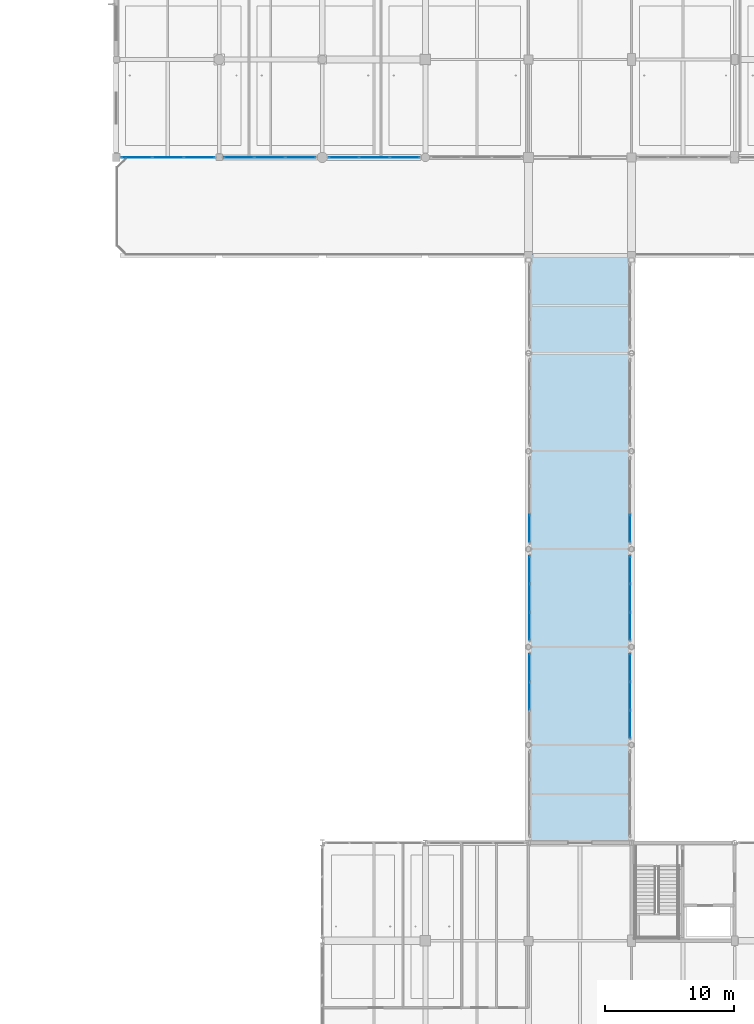
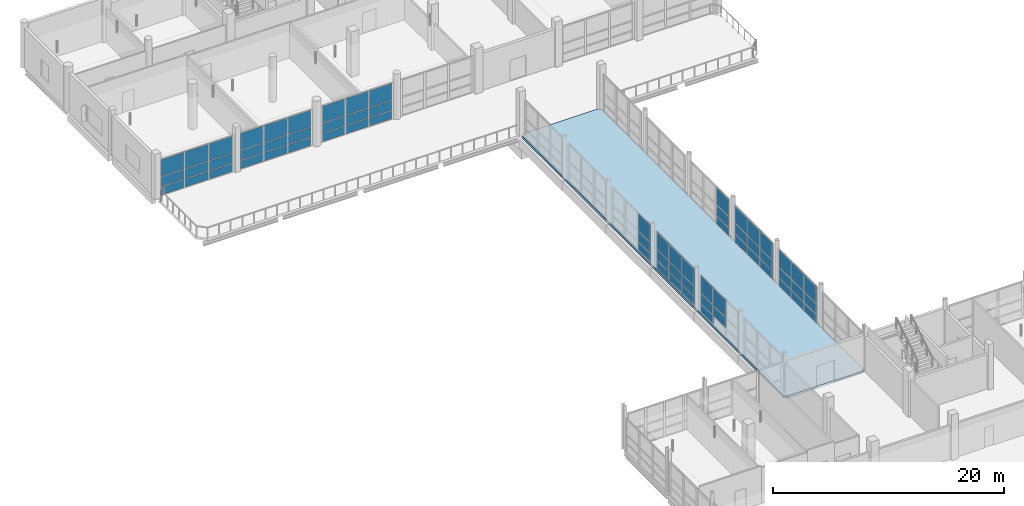
# One storey, part 80 of 141: 65 plates, 1 slab, 9 elements without a shape of their own.
"""IFC4 building model written with IfcOpenShell, lengths in metres."""

import ifcopenshell
import ifcopenshell.guid

model = None  # the IFC model being written
_history = None  # IfcOwnerHistory: only IFC2X3 demands one
_inside = {}  # id of a spatial element -> (the spatial element, [elements in it])
_under = {}  # id of a project, library or spatial element -> (it, [spatial elements below it])
_declared = {}  # id of a project -> (the project, [libraries it declares])
_typed = {}  # id of a type object -> (the type object, [elements of that type])
_made_of = {}  # id of a material, layer set ... -> (it, [elements and type objects made of it])


def new_model(schema):
    """Start an empty IFC model of exactly this schema.

    Asked for "IFC4X3", IfcOpenShell would pick the latest addendum, in which some entities
    have other attributes; the version numbers below select the first issue.
    IFC2X3 requires an IfcOwnerHistory on every rooted entity: one is made here for all.
    """
    global model, _history
    if schema == "IFC4X3":
        model = ifcopenshell.file(schema_version=(4, 3, 0, 0))
    else:
        model = ifcopenshell.file(schema=schema)
    _inside.clear()
    _under.clear()
    _declared.clear()
    _typed.clear()
    _made_of.clear()
    _history = None
    if model.schema == "IFC2X3":
        org = make("IfcOrganization", Name="unknown")
        user = make(
            "IfcPersonAndOrganization",
            ThePerson=make("IfcPerson", FamilyName="unknown"),
            TheOrganization=org,
        )
        app = make(
            "IfcApplication",
            ApplicationDeveloper=org,
            Version="unknown",
            ApplicationFullName="unknown",
            ApplicationIdentifier="unknown",
        )
        _history = make(
            "IfcOwnerHistory",
            OwningUser=user,
            OwningApplication=app,
            ChangeAction="ADDED",
            CreationDate=0,
        )
    return model


def make(cls, **values):
    """One entity of the class cls with the attributes given. An attribute that is None is left unset."""
    return model.create_entity(
        cls, **{name: value for name, value in values.items() if value is not None}
    )


def rooted(cls, **values):
    """An entity with a GlobalId (a new one), such as an element, a storey or a relation."""
    return make(cls, GlobalId=ifcopenshell.guid.new(), OwnerHistory=_history, **values)


def si_unit(unit_type, name, prefix=None):
    """IfcSIUnit, for example si_unit("LENGTHUNIT", "METRE", prefix="MILLI")."""
    return make("IfcSIUnit", UnitType=unit_type, Prefix=prefix, Name=name)


def assignment(units):
    """IfcUnitAssignment: the units of a project."""
    return None if units is None else make("IfcUnitAssignment", Units=units)


def point(xyz):
    """IfcCartesianPoint."""
    return None if xyz is None else make("IfcCartesianPoint", Coordinates=xyz)


def direction(xyz):
    """IfcDirection."""
    return None if xyz is None else make("IfcDirection", DirectionRatios=xyz)


def frame(location, z_axis=None, x_axis=None):
    """IfcAxis2Placement3D, a coordinate frame: its origin and axes. An axis left out is left unset."""
    return make(
        "IfcAxis2Placement3D",
        Location=point(location),
        Axis=direction(z_axis),
        RefDirection=direction(x_axis),
    )


def frame_2d(location, x_axis=None):
    """IfcAxis2Placement2D, a coordinate frame in the plane: its origin and x axis."""
    return make(
        "IfcAxis2Placement2D", Location=point(location), RefDirection=direction(x_axis)
    )


def origin():
    """The frame at (0, 0, 0) with its axes left unset."""
    return frame((0.0, 0.0, 0.0))


def origin_2d():
    """The frame at (0, 0) in the plane with its x axis left unset."""
    return frame_2d((0.0, 0.0))


def place(relative_to, where):
    """IfcLocalPlacement: puts the frame where relative to a parent placement (None: the world)."""
    return make(
        "IfcLocalPlacement", PlacementRelTo=relative_to, RelativePlacement=where
    )


def context(
    kind, dimensions, precision=None, world=None, true_north=None, identifier=None
):
    """IfcGeometricRepresentationContext, for example the 3D "Model" context."""
    return make(
        "IfcGeometricRepresentationContext",
        ContextIdentifier=identifier,
        ContextType=kind,
        CoordinateSpaceDimension=dimensions,
        Precision=precision,
        WorldCoordinateSystem=world,
        TrueNorth=true_north,
    )


def subcontext(parent, identifier, kind, view, scale=None):
    """IfcGeometricRepresentationSubContext, for example "Body" below "Model"."""
    return make(
        "IfcGeometricRepresentationSubContext",
        ContextIdentifier=identifier,
        ContextType=kind,
        ParentContext=parent,
        TargetScale=scale,
        TargetView=view,
    )


def project(units=None, contexts=None):
    """IfcProject with its units and contexts."""
    return rooted(
        "IfcProject",
        Name="project",
        RepresentationContexts=contexts,
        UnitsInContext=assignment(units),
    )


def spatial(cls, under=None, at=None, **own):
    """A site, building, storey or space (cls), placed at a placement, below another one or the project."""
    s = rooted(cls, ObjectPlacement=at, **own)
    if under is not None:
        _under.setdefault(under.id(), (under, []))[1].append(s)
    return s


def polyline(points):
    """IfcPolyline through the points."""
    return make("IfcPolyline", Points=[point(p) for p in points])


def profile(cls, at=None, kind="AREA", **sizes):
    """A parametric profile (cls). Its sizes go by their IFC names, for example OverallWidth=200.0."""
    return make(cls, ProfileType=kind, Position=at, **sizes)


def rectangle(**sizes):
    """IfcRectangleProfileDef."""
    return profile("IfcRectangleProfileDef", **sizes)


def outline(outer, holes=None, kind="AREA"):
    """IfcArbitraryClosedProfileDef: a profile drawn as a closed curve; with holes, ...WithVoids."""
    if holes is None:
        return make("IfcArbitraryClosedProfileDef", ProfileType=kind, OuterCurve=outer)
    return make(
        "IfcArbitraryProfileDefWithVoids",
        ProfileType=kind,
        OuterCurve=outer,
        InnerCurves=holes,
    )


def extrude(swept, where, along, depth):
    """IfcExtrudedAreaSolid: the profile swept, set in the frame where, extruded along a direction by depth."""
    return make(
        "IfcExtrudedAreaSolid",
        SweptArea=swept,
        Position=where,
        ExtrudedDirection=direction(along),
        Depth=depth,
    )


def shape(context_of_items, identifier, shape_type, items):
    """IfcShapeRepresentation: the items that make up one representation, for example the "Body"."""
    return make(
        "IfcShapeRepresentation",
        ContextOfItems=context_of_items,
        RepresentationIdentifier=identifier,
        RepresentationType=shape_type,
        Items=items,
    )


def material(Name=None, Category=None):
    """IfcMaterial."""
    return make("IfcMaterial", Name=Name, Category=Category)


def layer(
    of_material, thickness, ventilated=None, Name=None, Category=None, Priority=None
):
    """IfcMaterialLayer: one layer of a wall or slab, of a material (None: an air gap)."""
    return make(
        "IfcMaterialLayer",
        Material=of_material,
        LayerThickness=thickness,
        IsVentilated=ventilated,
        Name=Name,
        Category=Category,
        Priority=Priority,
    )


def layer_set(layers, Name=None):
    """IfcMaterialLayerSet."""
    return make("IfcMaterialLayerSet", MaterialLayers=layers, LayerSetName=Name)


def made_of(thing, what):
    """Note that an element or type object is made of a material, layer set ...; save() writes the relation."""
    if what is not None:
        _made_of.setdefault(what.id(), (what, []))[1].append(thing)
    return thing


def type_object(cls, material=None, **own):
    """A type object (cls), such as IfcWallType, which elements share."""
    return made_of(rooted(cls, **own), material)


def element(
    cls,
    number,
    at=None,
    inside=None,
    cuts=None,
    type_object=None,
    material=None,
    context=None,
    identifier="Body",
    shape_type=None,
    held_by="IfcProductDefinitionShape",
    body=None,
    shapes=None,
    **own,
):
    """One element of the class cls, such as IfcWall. Its Tag is "e" and its number.

    at: its placement. inside: the storey or other place that contains it. cuts: it is an
    opening in that element (IfcRelVoidsElement). A single representation is given by context,
    identifier, shape_type and body (its items); several are given by shapes. held_by: the class
    of the entity that holds the representations. save() writes the other relations.
    """
    e = rooted(cls, Tag="e%d" % number, ObjectPlacement=at, **own)
    if body is not None:
        shapes = [shape(context, identifier, shape_type, body)]
    if shapes is not None:
        e.Representation = make(held_by, Representations=shapes)
    if inside is not None:
        _inside.setdefault(inside.id(), (inside, []))[1].append(e)
    if cuts is not None:
        rooted(
            "IfcRelVoidsElement", RelatingBuildingElement=cuts, RelatedOpeningElement=e
        )
    if type_object is not None:
        _typed.setdefault(type_object.id(), (type_object, []))[1].append(e)
    return made_of(e, material)


def aggregate(whole, parts):
    """IfcRelAggregates: a whole, such as a stair, and the parts it consists of."""
    return rooted("IfcRelAggregates", RelatingObject=whole, RelatedObjects=parts)


def save(model, path):
    """Write the relations noted so far, then the file.

    IfcRelAggregates (storeys below a building ...), IfcRelContainedInSpatialStructure (elements
    in a storey), IfcRelDefinesByType, IfcRelAssociatesMaterial and IfcRelDeclares: one each for
    every whole, place, type object, material and project.
    """
    for whole, parts in _under.values():
        aggregate(whole, parts)
    for where, things in _inside.values():
        rooted(
            "IfcRelContainedInSpatialStructure",
            RelatedElements=things,
            RelatingStructure=where,
        )
    for kind, things in _typed.values():
        rooted("IfcRelDefinesByType", RelatedObjects=things, RelatingType=kind)
    for what, things in _made_of.values():
        rooted("IfcRelAssociatesMaterial", RelatedObjects=things, RelatingMaterial=what)
    for by, libraries in _declared.values():
        rooted("IfcRelDeclares", RelatingContext=by, RelatedDefinitions=libraries)
    model.write(path)


model = new_model("IFC4")

# Units and contexts
model_context = context("Model", 3, precision=1e-05, world=origin(), true_north=direction((0.0, 1.0)))
body_context = subcontext(model_context, "Body", "Model", "MODEL_VIEW")
ifc_project = project(units=[si_unit("LENGTHUNIT", "METRE"), si_unit("AREAUNIT", "SQUARE_METRE"), si_unit("VOLUMEUNIT", "CUBIC_METRE"), si_unit("PLANEANGLEUNIT", "RADIAN"), si_unit("MASSUNIT", "GRAM", prefix="KILO")], contexts=[model_context])

# Site, building, storey
site_placement = place(None, origin())
site = spatial("IfcSite", under=ifc_project, at=site_placement, CompositionType="ELEMENT")
building_placement = place(site_placement, origin())
building = spatial("IfcBuilding", under=site, at=building_placement, Name="Khelvaren Railside Concert Hall", CompositionType="ELEMENT")
storey_placement = place(building_placement, frame((0.0, 0.0, 10.199951171875)))
storey = spatial("IfcBuildingStorey", under=building, at=storey_placement, Name="L02", CompositionType="ELEMENT", Elevation=10.199951171875)

# Curtain wall, plates
ifc_material_1 = material(Name="Double-glazed clear foyer glass", Category="glass")
curtain_wall_type_1 = type_object("IfcCurtainWallType", Name="CW70", PredefinedType="USERDEFINED", material=ifc_material_1)
curtain_wall_1_placement = place(storey_placement, origin())
curtain_wall_1 = element("IfcCurtainWall", 1, at=curtain_wall_1_placement, inside=storey, type_object=curtain_wall_type_1, Name="Unitised Curtain Wall CW-V5-L02-S-128", ObjectType="UNITISED CURTAIN WALL", PredefinedType="USERDEFINED")
ifc_layer_1 = layer(ifc_material_1, 0.0439453125)
ifc_layer_set_1 = layer_set([ifc_layer_1], Name="Double-glazed clear foyer glass")
plate_type_1 = type_object("IfcPlateType", Name="CWP33", PredefinedType="CURTAIN_PANEL", material=ifc_layer_set_1)
plate_1_placement = place(storey_placement, frame((134.441162109375, 91.199951171875, 0.06494140625), z_axis=(0.0, 0.0, 1.0), x_axis=(-1.0, 0.0, 0.0)))
plate_1 = element("IfcPlate", 2, at=plate_1_placement, type_object=plate_type_1, Name="CW70 panel 1.1", PredefinedType="CURTAIN_PANEL", context=body_context, shape_type="SweptSolid", body=[
    extrude(rectangle(XDim=2.322509765625, YDim=0.0439453125, at=origin_2d()), origin(), (0.0, 0.0, 1.0), 0.8525390625),
])
plate_2_placement = place(storey_placement, frame((134.441162109375, 91.199951171875, 0.982666015625), z_axis=(0.0, 0.0, 1.0), x_axis=(-1.0, 0.0, 0.0)))
plate_2 = element("IfcPlate", 3, at=plate_2_placement, type_object=plate_type_1, Name="CW70 panel 1.2", PredefinedType="CURTAIN_PANEL", context=body_context, shape_type="SweptSolid", body=[
    extrude(rectangle(XDim=2.322509765625, YDim=0.0439453125, at=origin_2d()), origin(), (0.0, 0.0, 1.0), 0.9921875),
])
plate_3_placement = place(storey_placement, frame((134.441162109375, 91.199951171875, 2.039794921875), z_axis=(0.0, 0.0, 1.0), x_axis=(-1.0, 0.0, 0.0)))
plate_3 = element("IfcPlate", 4, at=plate_3_placement, type_object=plate_type_1, Name="CW70 panel 1.3", PredefinedType="CURTAIN_PANEL", context=body_context, shape_type="SweptSolid", body=[
    extrude(rectangle(XDim=2.322509765625, YDim=0.0439453125, at=origin_2d()), origin(), (0.0, 0.0, 1.0), 1.75537109375),
])
plate_4_placement = place(storey_placement, frame((132.02490234375, 91.199951171875, 0.06494140625), z_axis=(0.0, 0.0, 1.0), x_axis=(-1.0, 0.0, 0.0)))
plate_4 = element("IfcPlate", 5, at=plate_4_placement, type_object=plate_type_1, Name="CW70 panel 2.1", PredefinedType="CURTAIN_PANEL", context=body_context, shape_type="SweptSolid", body=[
    extrude(rectangle(XDim=2.360107421875, YDim=0.0439453125, at=origin_2d()), origin(), (0.0, 0.0, 1.0), 0.8525390625),
])
plate_5_placement = place(storey_placement, frame((132.02490234375, 91.199951171875, 0.982666015625), z_axis=(0.0, 0.0, 1.0), x_axis=(-1.0, 0.0, 0.0)))
plate_5 = element("IfcPlate", 6, at=plate_5_placement, type_object=plate_type_1, Name="CW70 panel 2.2", PredefinedType="CURTAIN_PANEL", context=body_context, shape_type="SweptSolid", body=[
    extrude(rectangle(XDim=2.360107421875, YDim=0.0439453125, at=origin_2d()), origin(), (0.0, 0.0, 1.0), 0.9921875),
])
plate_6_placement = place(storey_placement, frame((132.02490234375, 91.199951171875, 2.039794921875), z_axis=(0.0, 0.0, 1.0), x_axis=(-1.0, 0.0, 0.0)))
plate_6 = element("IfcPlate", 7, at=plate_6_placement, type_object=plate_type_1, Name="CW70 panel 2.3", PredefinedType="CURTAIN_PANEL", context=body_context, shape_type="SweptSolid", body=[
    extrude(rectangle(XDim=2.360107421875, YDim=0.0439453125, at=origin_2d()), origin(), (0.0, 0.0, 1.0), 1.75537109375),
])
plate_7_placement = place(storey_placement, frame((129.608642578125, 91.199951171875, 0.06494140625), z_axis=(0.0, 0.0, 1.0), x_axis=(-1.0, 0.0, 0.0)))
plate_7 = element("IfcPlate", 8, at=plate_7_placement, type_object=plate_type_1, Name="CW70 panel 3.1", PredefinedType="CURTAIN_PANEL", context=body_context, shape_type="SweptSolid", body=[
    extrude(rectangle(XDim=2.322509765625, YDim=0.0439453125, at=origin_2d()), origin(), (0.0, 0.0, 1.0), 0.8525390625),
])
plate_8_placement = place(storey_placement, frame((129.608642578125, 91.199951171875, 0.982666015625), z_axis=(0.0, 0.0, 1.0), x_axis=(-1.0, 0.0, 0.0)))
plate_8 = element("IfcPlate", 9, at=plate_8_placement, type_object=plate_type_1, Name="CW70 panel 3.2", PredefinedType="CURTAIN_PANEL", context=body_context, shape_type="SweptSolid", body=[
    extrude(rectangle(XDim=2.322509765625, YDim=0.0439453125, at=origin_2d()), origin(), (0.0, 0.0, 1.0), 0.9921875),
])
plate_9_placement = place(storey_placement, frame((129.608642578125, 91.199951171875, 2.039794921875), z_axis=(0.0, 0.0, 1.0), x_axis=(-1.0, 0.0, 0.0)))
plate_9 = element("IfcPlate", 10, at=plate_9_placement, type_object=plate_type_1, Name="CW70 panel 3.3", PredefinedType="CURTAIN_PANEL", context=body_context, shape_type="SweptSolid", body=[
    extrude(rectangle(XDim=2.322509765625, YDim=0.0439453125, at=origin_2d()), origin(), (0.0, 0.0, 1.0), 1.75537109375),
])
aggregate(curtain_wall_1, [plate_1, plate_2, plate_3, plate_4, plate_5, plate_6, plate_7, plate_8, plate_9])

curtain_wall_type_2 = type_object("IfcCurtainWallType", Name="CW83", PredefinedType="USERDEFINED", material=ifc_material_1)
curtain_wall_2_placement = place(storey_placement, origin())
curtain_wall_2 = element("IfcCurtainWall", 11, at=curtain_wall_2_placement, inside=storey, type_object=curtain_wall_type_2, Name="Unitised Curtain Wall CW-V5-L02-S-136", ObjectType="UNITISED CURTAIN WALL", PredefinedType="USERDEFINED")
plate_10_placement = place(storey_placement, frame((142.307861328125, 91.199951171875, 0.06494140625), z_axis=(0.0, 0.0, 1.0), x_axis=(-1.0, 0.0, 0.0)))
plate_10 = element("IfcPlate", 12, at=plate_10_placement, type_object=plate_type_1, Name="CW83 panel 1.1", PredefinedType="CURTAIN_PANEL", context=body_context, shape_type="SweptSolid", body=[
    extrude(rectangle(XDim=2.2890625, YDim=0.0439453125, at=origin_2d()), origin(), (0.0, 0.0, 1.0), 0.8525390625),
])
plate_11_placement = place(storey_placement, frame((142.307861328125, 91.199951171875, 0.982666015625), z_axis=(0.0, 0.0, 1.0), x_axis=(-1.0, 0.0, 0.0)))
plate_11 = element("IfcPlate", 13, at=plate_11_placement, type_object=plate_type_1, Name="CW83 panel 1.2", PredefinedType="CURTAIN_PANEL", context=body_context, shape_type="SweptSolid", body=[
    extrude(rectangle(XDim=2.2890625, YDim=0.0439453125, at=origin_2d()), origin(), (0.0, 0.0, 1.0), 0.9921875),
])
plate_12_placement = place(storey_placement, frame((142.307861328125, 91.199951171875, 2.039794921875), z_axis=(0.0, 0.0, 1.0), x_axis=(-1.0, 0.0, 0.0)))
plate_12 = element("IfcPlate", 14, at=plate_12_placement, type_object=plate_type_1, Name="CW83 panel 1.3", PredefinedType="CURTAIN_PANEL", context=body_context, shape_type="SweptSolid", body=[
    extrude(rectangle(XDim=2.2890625, YDim=0.0439453125, at=origin_2d()), origin(), (0.0, 0.0, 1.0), 1.75537109375),
])
plate_13_placement = place(storey_placement, frame((139.925048828125, 91.199951171875, 0.06494140625), z_axis=(0.0, 0.0, 1.0), x_axis=(-1.0, 0.0, 0.0)))
plate_13 = element("IfcPlate", 15, at=plate_13_placement, type_object=plate_type_1, Name="CW83 panel 2.1", PredefinedType="CURTAIN_PANEL", context=body_context, shape_type="SweptSolid", body=[
    extrude(rectangle(XDim=2.32666015625, YDim=0.0439453125, at=origin_2d()), origin(), (0.0, 0.0, 1.0), 0.8525390625),
])
plate_14_placement = place(storey_placement, frame((139.925048828125, 91.199951171875, 0.982666015625), z_axis=(0.0, 0.0, 1.0), x_axis=(-1.0, 0.0, 0.0)))
plate_14 = element("IfcPlate", 16, at=plate_14_placement, type_object=plate_type_1, Name="CW83 panel 2.2", PredefinedType="CURTAIN_PANEL", context=body_context, shape_type="SweptSolid", body=[
    extrude(rectangle(XDim=2.32666015625, YDim=0.0439453125, at=origin_2d()), origin(), (0.0, 0.0, 1.0), 0.9921875),
])
plate_15_placement = place(storey_placement, frame((139.925048828125, 91.199951171875, 2.039794921875), z_axis=(0.0, 0.0, 1.0), x_axis=(-1.0, 0.0, 0.0)))
plate_15 = element("IfcPlate", 17, at=plate_15_placement, type_object=plate_type_1, Name="CW83 panel 2.3", PredefinedType="CURTAIN_PANEL", context=body_context, shape_type="SweptSolid", body=[
    extrude(rectangle(XDim=2.32666015625, YDim=0.0439453125, at=origin_2d()), origin(), (0.0, 0.0, 1.0), 1.75537109375),
])
plate_16_placement = place(storey_placement, frame((137.5419921875, 91.199951171875, 0.06494140625), z_axis=(0.0, 0.0, 1.0), x_axis=(-1.0, 0.0, 0.0)))
plate_16 = element("IfcPlate", 18, at=plate_16_placement, type_object=plate_type_1, Name="CW83 panel 3.1", PredefinedType="CURTAIN_PANEL", context=body_context, shape_type="SweptSolid", body=[
    extrude(rectangle(XDim=2.2890625, YDim=0.0439453125, at=origin_2d()), origin(), (0.0, 0.0, 1.0), 0.8525390625),
])
plate_17_placement = place(storey_placement, frame((137.5419921875, 91.199951171875, 0.982666015625), z_axis=(0.0, 0.0, 1.0), x_axis=(-1.0, 0.0, 0.0)))
plate_17 = element("IfcPlate", 19, at=plate_17_placement, type_object=plate_type_1, Name="CW83 panel 3.2", PredefinedType="CURTAIN_PANEL", context=body_context, shape_type="SweptSolid", body=[
    extrude(rectangle(XDim=2.2890625, YDim=0.0439453125, at=origin_2d()), origin(), (0.0, 0.0, 1.0), 0.9921875),
])
plate_18_placement = place(storey_placement, frame((137.5419921875, 91.199951171875, 2.039794921875), z_axis=(0.0, 0.0, 1.0), x_axis=(-1.0, 0.0, 0.0)))
plate_18 = element("IfcPlate", 20, at=plate_18_placement, type_object=plate_type_1, Name="CW83 panel 3.3", PredefinedType="CURTAIN_PANEL", context=body_context, shape_type="SweptSolid", body=[
    extrude(rectangle(XDim=2.2890625, YDim=0.0439453125, at=origin_2d()), origin(), (0.0, 0.0, 1.0), 1.75537109375),
])
aggregate(curtain_wall_2, [plate_10, plate_11, plate_12, plate_13, plate_14, plate_15, plate_16, plate_17, plate_18])

curtain_wall_type_3 = type_object("IfcCurtainWallType", Name="CW64", PredefinedType="USERDEFINED", material=ifc_material_1)
curtain_wall_3_placement = place(storey_placement, origin())
curtain_wall_3 = element("IfcCurtainWall", 21, at=curtain_wall_3_placement, inside=storey, type_object=curtain_wall_type_3, Name="Unitised Curtain Wall CW-V5-L02-S-144", ObjectType="UNITISED CURTAIN WALL", PredefinedType="USERDEFINED")
plate_19_placement = place(storey_placement, frame((150.3955078125, 91.199951171875, 0.06494140625), z_axis=(0.0, 0.0, 1.0), x_axis=(-1.0, 0.0, 0.0)))
plate_19 = element("IfcPlate", 22, at=plate_19_placement, type_object=plate_type_1, Name="CW64 panel 1.1", PredefinedType="CURTAIN_PANEL", context=body_context, shape_type="SweptSolid", body=[
    extrude(rectangle(XDim=2.26416015625, YDim=0.0439453125, at=origin_2d()), origin(), (0.0, 0.0, 1.0), 0.8525390625),
])
plate_20_placement = place(storey_placement, frame((150.3955078125, 91.199951171875, 0.982666015625), z_axis=(0.0, 0.0, 1.0), x_axis=(-1.0, 0.0, 0.0)))
plate_20 = element("IfcPlate", 23, at=plate_20_placement, type_object=plate_type_1, Name="CW64 panel 1.2", PredefinedType="CURTAIN_PANEL", context=body_context, shape_type="SweptSolid", body=[
    extrude(rectangle(XDim=2.26416015625, YDim=0.0439453125, at=origin_2d()), origin(), (0.0, 0.0, 1.0), 0.9921875),
])
plate_21_placement = place(storey_placement, frame((150.3955078125, 91.199951171875, 2.039794921875), z_axis=(0.0, 0.0, 1.0), x_axis=(-1.0, 0.0, 0.0)))
plate_21 = element("IfcPlate", 24, at=plate_21_placement, type_object=plate_type_1, Name="CW64 panel 1.3", PredefinedType="CURTAIN_PANEL", context=body_context, shape_type="SweptSolid", body=[
    extrude(rectangle(XDim=2.26416015625, YDim=0.0439453125, at=origin_2d()), origin(), (0.0, 0.0, 1.0), 1.75537109375),
])
plate_22_placement = place(storey_placement, frame((148.03759765625, 91.199951171875, 0.06494140625), z_axis=(0.0, 0.0, 1.0), x_axis=(-1.0, 0.0, 0.0)))
plate_22 = element("IfcPlate", 25, at=plate_22_placement, type_object=plate_type_1, Name="CW64 panel 2.1", PredefinedType="CURTAIN_PANEL", context=body_context, shape_type="SweptSolid", body=[
    extrude(rectangle(XDim=2.3017578125, YDim=0.0439453125, at=origin_2d()), origin(), (0.0, 0.0, 1.0), 0.8525390625),
])
plate_23_placement = place(storey_placement, frame((148.03759765625, 91.199951171875, 0.982666015625), z_axis=(0.0, 0.0, 1.0), x_axis=(-1.0, 0.0, 0.0)))
plate_23 = element("IfcPlate", 26, at=plate_23_placement, type_object=plate_type_1, Name="CW64 panel 2.2", PredefinedType="CURTAIN_PANEL", context=body_context, shape_type="SweptSolid", body=[
    extrude(rectangle(XDim=2.3017578125, YDim=0.0439453125, at=origin_2d()), origin(), (0.0, 0.0, 1.0), 0.9921875),
])
plate_24_placement = place(storey_placement, frame((148.03759765625, 91.199951171875, 2.039794921875), z_axis=(0.0, 0.0, 1.0), x_axis=(-1.0, 0.0, 0.0)))
plate_24 = element("IfcPlate", 27, at=plate_24_placement, type_object=plate_type_1, Name="CW64 panel 2.3", PredefinedType="CURTAIN_PANEL", context=body_context, shape_type="SweptSolid", body=[
    extrude(rectangle(XDim=2.3017578125, YDim=0.0439453125, at=origin_2d()), origin(), (0.0, 0.0, 1.0), 1.75537109375),
])
plate_25_placement = place(storey_placement, frame((145.6796875, 91.199951171875, 0.06494140625), z_axis=(0.0, 0.0, 1.0), x_axis=(-1.0, 0.0, 0.0)))
plate_25 = element("IfcPlate", 28, at=plate_25_placement, type_object=plate_type_1, Name="CW64 panel 3.1", PredefinedType="CURTAIN_PANEL", context=body_context, shape_type="SweptSolid", body=[
    extrude(rectangle(XDim=2.26416015625, YDim=0.0439453125, at=origin_2d()), origin(), (0.0, 0.0, 1.0), 0.8525390625),
])
plate_26_placement = place(storey_placement, frame((145.6796875, 91.199951171875, 0.982666015625), z_axis=(0.0, 0.0, 1.0), x_axis=(-1.0, 0.0, 0.0)))
plate_26 = element("IfcPlate", 29, at=plate_26_placement, type_object=plate_type_1, Name="CW64 panel 3.2", PredefinedType="CURTAIN_PANEL", context=body_context, shape_type="SweptSolid", body=[
    extrude(rectangle(XDim=2.26416015625, YDim=0.0439453125, at=origin_2d()), origin(), (0.0, 0.0, 1.0), 0.9921875),
])
plate_27_placement = place(storey_placement, frame((145.6796875, 91.199951171875, 2.039794921875), z_axis=(0.0, 0.0, 1.0), x_axis=(-1.0, 0.0, 0.0)))
plate_27 = element("IfcPlate", 30, at=plate_27_placement, type_object=plate_type_1, Name="CW64 panel 3.3", PredefinedType="CURTAIN_PANEL", context=body_context, shape_type="SweptSolid", body=[
    extrude(rectangle(XDim=2.26416015625, YDim=0.0439453125, at=origin_2d()), origin(), (0.0, 0.0, 1.0), 1.75537109375),
])
aggregate(curtain_wall_3, [plate_19, plate_20, plate_21, plate_22, plate_23, plate_24, plate_25, plate_26, plate_27])

ifc_material_2 = material(Name="Acoustic laminated crystal facade glass", Category="glass")
curtain_wall_type_4 = type_object("IfcCurtainWallType", Name="CW78", PredefinedType="USERDEFINED", material=ifc_material_2)
curtain_wall_4_placement = place(storey_placement, origin())
curtain_wall_4 = element("IfcCurtainWall", 31, at=curtain_wall_4_placement, inside=storey, type_object=curtain_wall_type_4, Name="Unitised Curtain Wall CW-LB4-L02-W2", ObjectType="UNITISED CURTAIN WALL", PredefinedType="USERDEFINED")
ifc_layer_2 = layer(ifc_material_2, 0.0400390625)
ifc_layer_set_2 = layer_set([ifc_layer_2], Name="Acoustic laminated crystal facade glass")
plate_type_2 = type_object("IfcPlateType", Name="CWP77", PredefinedType="CURTAIN_PANEL", material=ifc_layer_set_2)
plate_28_placement = place(storey_placement, frame((160.10009765625, 49.39990234375, 0.992431640625), z_axis=(0.0, 0.0, 1.0), x_axis=(0.0, 1.0, 0.0)))
plate_28 = element("IfcPlate", 32, at=plate_28_placement, type_object=plate_type_2, Name="CW78 panel 2.2", PredefinedType="CURTAIN_PANEL", context=body_context, shape_type="SweptSolid", body=[
    extrude(rectangle(XDim=2.12841796875, YDim=0.0400390625, at=origin_2d()), origin(), (0.0, 0.0, 1.0), 1.03466796875),
])
plate_29_placement = place(storey_placement, frame((160.10009765625, 49.39990234375, 2.1123046875), z_axis=(0.0, 0.0, 1.0), x_axis=(0.0, 1.0, 0.0)))
plate_29 = element("IfcPlate", 33, at=plate_29_placement, type_object=plate_type_2, Name="CW78 panel 2.3", PredefinedType="CURTAIN_PANEL", context=body_context, shape_type="SweptSolid", body=[
    extrude(rectangle(XDim=2.12841796875, YDim=0.0400390625, at=origin_2d()), origin(), (0.0, 0.0, 1.0), 1.782958984375),
])
plate_30_placement = place(storey_placement, frame((160.10009765625, 51.592041015625, 0.0849609375), z_axis=(0.0, 0.0, 1.0), x_axis=(0.0, 1.0, 0.0)))
plate_30 = element("IfcPlate", 34, at=plate_30_placement, type_object=plate_type_2, Name="CW78 panel 3.1", PredefinedType="CURTAIN_PANEL", context=body_context, shape_type="SweptSolid", body=[
    extrude(rectangle(XDim=2.0859375, YDim=0.0400390625, at=origin_2d()), origin(), (0.0, 0.0, 1.0), 0.822509765625),
])
plate_31_placement = place(storey_placement, frame((160.10009765625, 51.592041015625, 0.992431640625), z_axis=(0.0, 0.0, 1.0), x_axis=(0.0, 1.0, 0.0)))
plate_31 = element("IfcPlate", 35, at=plate_31_placement, type_object=plate_type_2, Name="CW78 panel 3.2", PredefinedType="CURTAIN_PANEL", context=body_context, shape_type="SweptSolid", body=[
    extrude(rectangle(XDim=2.0859375, YDim=0.0400390625, at=origin_2d()), origin(), (0.0, 0.0, 1.0), 1.03466796875),
])
plate_32_placement = place(storey_placement, frame((160.10009765625, 51.592041015625, 2.1123046875), z_axis=(0.0, 0.0, 1.0), x_axis=(0.0, 1.0, 0.0)))
plate_32 = element("IfcPlate", 36, at=plate_32_placement, type_object=plate_type_2, Name="CW78 panel 3.3", PredefinedType="CURTAIN_PANEL", context=body_context, shape_type="SweptSolid", body=[
    extrude(rectangle(XDim=2.0859375, YDim=0.0400390625, at=origin_2d()), origin(), (0.0, 0.0, 1.0), 1.782958984375),
])
aggregate(curtain_wall_4, [plate_28, plate_29, plate_30, plate_31, plate_32])

curtain_wall_5_placement = place(storey_placement, origin())
curtain_wall_5 = element("IfcCurtainWall", 37, at=curtain_wall_5_placement, inside=storey, type_object=curtain_wall_type_4, Name="Unitised Curtain Wall CW-LB4-L02-E2", ObjectType="UNITISED CURTAIN WALL", PredefinedType="USERDEFINED")
plate_33_placement = place(storey_placement, frame((167.89990234375, 51.592041015625, 0.0849609375), z_axis=(0.0, 0.0, 1.0), x_axis=(0.0, -1.0, 0.0)))
plate_33 = element("IfcPlate", 38, at=plate_33_placement, type_object=plate_type_2, Name="CW78 panel 1.1", PredefinedType="CURTAIN_PANEL", context=body_context, shape_type="SweptSolid", body=[
    extrude(rectangle(XDim=2.0859375, YDim=0.0400390625, at=origin_2d()), origin(), (0.0, 0.0, 1.0), 0.822509765625),
])
plate_34_placement = place(storey_placement, frame((167.89990234375, 51.592041015625, 0.992431640625), z_axis=(0.0, 0.0, 1.0), x_axis=(0.0, -1.0, 0.0)))
plate_34 = element("IfcPlate", 39, at=plate_34_placement, type_object=plate_type_2, Name="CW78 panel 1.2", PredefinedType="CURTAIN_PANEL", context=body_context, shape_type="SweptSolid", body=[
    extrude(rectangle(XDim=2.0859375, YDim=0.0400390625, at=origin_2d()), origin(), (0.0, 0.0, 1.0), 1.03466796875),
])
plate_35_placement = place(storey_placement, frame((167.89990234375, 51.592041015625, 2.1123046875), z_axis=(0.0, 0.0, 1.0), x_axis=(0.0, -1.0, 0.0)))
plate_35 = element("IfcPlate", 40, at=plate_35_placement, type_object=plate_type_2, Name="CW78 panel 1.3", PredefinedType="CURTAIN_PANEL", context=body_context, shape_type="SweptSolid", body=[
    extrude(rectangle(XDim=2.0859375, YDim=0.0400390625, at=origin_2d()), origin(), (0.0, 0.0, 1.0), 1.782958984375),
])
plate_36_placement = place(storey_placement, frame((167.89990234375, 49.39990234375, 0.0849609375), z_axis=(0.0, 0.0, 1.0), x_axis=(0.0, -1.0, 0.0)))
plate_36 = element("IfcPlate", 41, at=plate_36_placement, type_object=plate_type_2, Name="CW78 panel 2.1", PredefinedType="CURTAIN_PANEL", context=body_context, shape_type="SweptSolid", body=[
    extrude(rectangle(XDim=2.12841796875, YDim=0.0400390625, at=origin_2d()), origin(), (0.0, 0.0, 1.0), 0.822509765625),
])
plate_37_placement = place(storey_placement, frame((167.89990234375, 49.39990234375, 0.992431640625), z_axis=(0.0, 0.0, 1.0), x_axis=(0.0, -1.0, 0.0)))
plate_37 = element("IfcPlate", 42, at=plate_37_placement, type_object=plate_type_2, Name="CW78 panel 2.2", PredefinedType="CURTAIN_PANEL", context=body_context, shape_type="SweptSolid", body=[
    extrude(rectangle(XDim=2.12841796875, YDim=0.0400390625, at=origin_2d()), origin(), (0.0, 0.0, 1.0), 1.03466796875),
])
plate_38_placement = place(storey_placement, frame((167.89990234375, 49.39990234375, 2.1123046875), z_axis=(0.0, 0.0, 1.0), x_axis=(0.0, -1.0, 0.0)))
plate_38 = element("IfcPlate", 43, at=plate_38_placement, type_object=plate_type_2, Name="CW78 panel 2.3", PredefinedType="CURTAIN_PANEL", context=body_context, shape_type="SweptSolid", body=[
    extrude(rectangle(XDim=2.12841796875, YDim=0.0400390625, at=origin_2d()), origin(), (0.0, 0.0, 1.0), 1.782958984375),
])
plate_39_placement = place(storey_placement, frame((167.89990234375, 47.2080078125, 0.0849609375), z_axis=(0.0, 0.0, 1.0), x_axis=(0.0, -1.0, 0.0)))
plate_39 = element("IfcPlate", 44, at=plate_39_placement, type_object=plate_type_2, Name="CW78 panel 3.1", PredefinedType="CURTAIN_PANEL", context=body_context, shape_type="SweptSolid", body=[
    extrude(rectangle(XDim=2.0859375, YDim=0.0400390625, at=origin_2d()), origin(), (0.0, 0.0, 1.0), 0.822509765625),
])
plate_40_placement = place(storey_placement, frame((167.89990234375, 47.2080078125, 0.992431640625), z_axis=(0.0, 0.0, 1.0), x_axis=(0.0, -1.0, 0.0)))
plate_40 = element("IfcPlate", 45, at=plate_40_placement, type_object=plate_type_2, Name="CW78 panel 3.2", PredefinedType="CURTAIN_PANEL", context=body_context, shape_type="SweptSolid", body=[
    extrude(rectangle(XDim=2.0859375, YDim=0.0400390625, at=origin_2d()), origin(), (0.0, 0.0, 1.0), 1.03466796875),
])
plate_41_placement = place(storey_placement, frame((167.89990234375, 47.2080078125, 2.1123046875), z_axis=(0.0, 0.0, 1.0), x_axis=(0.0, -1.0, 0.0)))
plate_41 = element("IfcPlate", 46, at=plate_41_placement, type_object=plate_type_2, Name="CW78 panel 3.3", PredefinedType="CURTAIN_PANEL", context=body_context, shape_type="SweptSolid", body=[
    extrude(rectangle(XDim=2.0859375, YDim=0.0400390625, at=origin_2d()), origin(), (0.0, 0.0, 1.0), 1.782958984375),
])
aggregate(curtain_wall_5, [plate_33, plate_34, plate_35, plate_36, plate_37, plate_38, plate_39, plate_40, plate_41])

curtain_wall_6_placement = place(storey_placement, origin())
curtain_wall_6 = element("IfcCurtainWall", 47, at=curtain_wall_6_placement, inside=storey, type_object=curtain_wall_type_4, Name="Unitised Curtain Wall CW-LB4-L02-W3", ObjectType="UNITISED CURTAIN WALL", PredefinedType="USERDEFINED")
plate_42_placement = place(storey_placement, frame((160.10009765625, 54.807861328125, 0.0849609375), z_axis=(0.0, 0.0, 1.0), x_axis=(0.0, 1.0, 0.0)))
plate_42 = element("IfcPlate", 48, at=plate_42_placement, type_object=plate_type_2, Name="CW78 panel 1.1", PredefinedType="CURTAIN_PANEL", context=body_context, shape_type="SweptSolid", body=[
    extrude(rectangle(XDim=2.0859375, YDim=0.0400390625, at=origin_2d()), origin(), (0.0, 0.0, 1.0), 0.822509765625),
])
plate_43_placement = place(storey_placement, frame((160.10009765625, 54.807861328125, 0.992431640625), z_axis=(0.0, 0.0, 1.0), x_axis=(0.0, 1.0, 0.0)))
plate_43 = element("IfcPlate", 49, at=plate_43_placement, type_object=plate_type_2, Name="CW78 panel 1.2", PredefinedType="CURTAIN_PANEL", context=body_context, shape_type="SweptSolid", body=[
    extrude(rectangle(XDim=2.0859375, YDim=0.0400390625, at=origin_2d()), origin(), (0.0, 0.0, 1.0), 1.03466796875),
])
plate_44_placement = place(storey_placement, frame((160.10009765625, 54.807861328125, 2.1123046875), z_axis=(0.0, 0.0, 1.0), x_axis=(0.0, 1.0, 0.0)))
plate_44 = element("IfcPlate", 50, at=plate_44_placement, type_object=plate_type_2, Name="CW78 panel 1.3", PredefinedType="CURTAIN_PANEL", context=body_context, shape_type="SweptSolid", body=[
    extrude(rectangle(XDim=2.0859375, YDim=0.0400390625, at=origin_2d()), origin(), (0.0, 0.0, 1.0), 1.782958984375),
])
plate_45_placement = place(storey_placement, frame((160.10009765625, 57.0, 0.0849609375), z_axis=(0.0, 0.0, 1.0), x_axis=(0.0, 1.0, 0.0)))
plate_45 = element("IfcPlate", 51, at=plate_45_placement, type_object=plate_type_2, Name="CW78 panel 2.1", PredefinedType="CURTAIN_PANEL", context=body_context, shape_type="SweptSolid", body=[
    extrude(rectangle(XDim=2.12841796875, YDim=0.0400390625, at=origin_2d()), origin(), (0.0, 0.0, 1.0), 0.822509765625),
])
plate_46_placement = place(storey_placement, frame((160.10009765625, 57.0, 0.992431640625), z_axis=(0.0, 0.0, 1.0), x_axis=(0.0, 1.0, 0.0)))
plate_46 = element("IfcPlate", 52, at=plate_46_placement, type_object=plate_type_2, Name="CW78 panel 2.2", PredefinedType="CURTAIN_PANEL", context=body_context, shape_type="SweptSolid", body=[
    extrude(rectangle(XDim=2.12841796875, YDim=0.0400390625, at=origin_2d()), origin(), (0.0, 0.0, 1.0), 1.03466796875),
])
plate_47_placement = place(storey_placement, frame((160.10009765625, 57.0, 2.1123046875), z_axis=(0.0, 0.0, 1.0), x_axis=(0.0, 1.0, 0.0)))
plate_47 = element("IfcPlate", 53, at=plate_47_placement, type_object=plate_type_2, Name="CW78 panel 2.3", PredefinedType="CURTAIN_PANEL", context=body_context, shape_type="SweptSolid", body=[
    extrude(rectangle(XDim=2.12841796875, YDim=0.0400390625, at=origin_2d()), origin(), (0.0, 0.0, 1.0), 1.782958984375),
])
plate_48_placement = place(storey_placement, frame((160.10009765625, 59.192138671875, 0.0849609375), z_axis=(0.0, 0.0, 1.0), x_axis=(0.0, 1.0, 0.0)))
plate_48 = element("IfcPlate", 54, at=plate_48_placement, type_object=plate_type_2, Name="CW78 panel 3.1", PredefinedType="CURTAIN_PANEL", context=body_context, shape_type="SweptSolid", body=[
    extrude(rectangle(XDim=2.0859375, YDim=0.0400390625, at=origin_2d()), origin(), (0.0, 0.0, 1.0), 0.822509765625),
])
plate_49_placement = place(storey_placement, frame((160.10009765625, 59.192138671875, 0.992431640625), z_axis=(0.0, 0.0, 1.0), x_axis=(0.0, 1.0, 0.0)))
plate_49 = element("IfcPlate", 55, at=plate_49_placement, type_object=plate_type_2, Name="CW78 panel 3.2", PredefinedType="CURTAIN_PANEL", context=body_context, shape_type="SweptSolid", body=[
    extrude(rectangle(XDim=2.0859375, YDim=0.0400390625, at=origin_2d()), origin(), (0.0, 0.0, 1.0), 1.03466796875),
])
plate_50_placement = place(storey_placement, frame((160.10009765625, 59.192138671875, 2.1123046875), z_axis=(0.0, 0.0, 1.0), x_axis=(0.0, 1.0, 0.0)))
plate_50 = element("IfcPlate", 56, at=plate_50_placement, type_object=plate_type_2, Name="CW78 panel 3.3", PredefinedType="CURTAIN_PANEL", context=body_context, shape_type="SweptSolid", body=[
    extrude(rectangle(XDim=2.0859375, YDim=0.0400390625, at=origin_2d()), origin(), (0.0, 0.0, 1.0), 1.782958984375),
])
aggregate(curtain_wall_6, [plate_42, plate_43, plate_44, plate_45, plate_46, plate_47, plate_48, plate_49, plate_50])

curtain_wall_7_placement = place(storey_placement, origin())
curtain_wall_7 = element("IfcCurtainWall", 57, at=curtain_wall_7_placement, inside=storey, type_object=curtain_wall_type_4, Name="Unitised Curtain Wall CW-LB4-L02-E3", ObjectType="UNITISED CURTAIN WALL", PredefinedType="USERDEFINED")
plate_51_placement = place(storey_placement, frame((167.89990234375, 59.192138671875, 0.0849609375), z_axis=(0.0, 0.0, 1.0), x_axis=(0.0, -1.0, 0.0)))
plate_51 = element("IfcPlate", 58, at=plate_51_placement, type_object=plate_type_2, Name="CW78 panel 1.1", PredefinedType="CURTAIN_PANEL", context=body_context, shape_type="SweptSolid", body=[
    extrude(rectangle(XDim=2.0859375, YDim=0.0400390625, at=origin_2d()), origin(), (0.0, 0.0, 1.0), 0.822509765625),
])
plate_52_placement = place(storey_placement, frame((167.89990234375, 59.192138671875, 0.992431640625), z_axis=(0.0, 0.0, 1.0), x_axis=(0.0, -1.0, 0.0)))
plate_52 = element("IfcPlate", 59, at=plate_52_placement, type_object=plate_type_2, Name="CW78 panel 1.2", PredefinedType="CURTAIN_PANEL", context=body_context, shape_type="SweptSolid", body=[
    extrude(rectangle(XDim=2.0859375, YDim=0.0400390625, at=origin_2d()), origin(), (0.0, 0.0, 1.0), 1.03466796875),
])
plate_53_placement = place(storey_placement, frame((167.89990234375, 59.192138671875, 2.1123046875), z_axis=(0.0, 0.0, 1.0), x_axis=(0.0, -1.0, 0.0)))
plate_53 = element("IfcPlate", 60, at=plate_53_placement, type_object=plate_type_2, Name="CW78 panel 1.3", PredefinedType="CURTAIN_PANEL", context=body_context, shape_type="SweptSolid", body=[
    extrude(rectangle(XDim=2.0859375, YDim=0.0400390625, at=origin_2d()), origin(), (0.0, 0.0, 1.0), 1.782958984375),
])
plate_54_placement = place(storey_placement, frame((167.89990234375, 57.0, 0.0849609375), z_axis=(0.0, 0.0, 1.0), x_axis=(0.0, -1.0, 0.0)))
plate_54 = element("IfcPlate", 61, at=plate_54_placement, type_object=plate_type_2, Name="CW78 panel 2.1", PredefinedType="CURTAIN_PANEL", context=body_context, shape_type="SweptSolid", body=[
    extrude(rectangle(XDim=2.12841796875, YDim=0.0400390625, at=origin_2d()), origin(), (0.0, 0.0, 1.0), 0.822509765625),
])
plate_55_placement = place(storey_placement, frame((167.89990234375, 57.0, 0.992431640625), z_axis=(0.0, 0.0, 1.0), x_axis=(0.0, -1.0, 0.0)))
plate_55 = element("IfcPlate", 62, at=plate_55_placement, type_object=plate_type_2, Name="CW78 panel 2.2", PredefinedType="CURTAIN_PANEL", context=body_context, shape_type="SweptSolid", body=[
    extrude(rectangle(XDim=2.12841796875, YDim=0.0400390625, at=origin_2d()), origin(), (0.0, 0.0, 1.0), 1.03466796875),
])
plate_56_placement = place(storey_placement, frame((167.89990234375, 57.0, 2.1123046875), z_axis=(0.0, 0.0, 1.0), x_axis=(0.0, -1.0, 0.0)))
plate_56 = element("IfcPlate", 63, at=plate_56_placement, type_object=plate_type_2, Name="CW78 panel 2.3", PredefinedType="CURTAIN_PANEL", context=body_context, shape_type="SweptSolid", body=[
    extrude(rectangle(XDim=2.12841796875, YDim=0.0400390625, at=origin_2d()), origin(), (0.0, 0.0, 1.0), 1.782958984375),
])
plate_57_placement = place(storey_placement, frame((167.89990234375, 54.807861328125, 0.0849609375), z_axis=(0.0, 0.0, 1.0), x_axis=(0.0, -1.0, 0.0)))
plate_57 = element("IfcPlate", 64, at=plate_57_placement, type_object=plate_type_2, Name="CW78 panel 3.1", PredefinedType="CURTAIN_PANEL", context=body_context, shape_type="SweptSolid", body=[
    extrude(rectangle(XDim=2.0859375, YDim=0.0400390625, at=origin_2d()), origin(), (0.0, 0.0, 1.0), 0.822509765625),
])
plate_58_placement = place(storey_placement, frame((167.89990234375, 54.807861328125, 0.992431640625), z_axis=(0.0, 0.0, 1.0), x_axis=(0.0, -1.0, 0.0)))
plate_58 = element("IfcPlate", 65, at=plate_58_placement, type_object=plate_type_2, Name="CW78 panel 3.2", PredefinedType="CURTAIN_PANEL", context=body_context, shape_type="SweptSolid", body=[
    extrude(rectangle(XDim=2.0859375, YDim=0.0400390625, at=origin_2d()), origin(), (0.0, 0.0, 1.0), 1.03466796875),
])
plate_59_placement = place(storey_placement, frame((167.89990234375, 54.807861328125, 2.1123046875), z_axis=(0.0, 0.0, 1.0), x_axis=(0.0, -1.0, 0.0)))
plate_59 = element("IfcPlate", 66, at=plate_59_placement, type_object=plate_type_2, Name="CW78 panel 3.3", PredefinedType="CURTAIN_PANEL", context=body_context, shape_type="SweptSolid", body=[
    extrude(rectangle(XDim=2.0859375, YDim=0.0400390625, at=origin_2d()), origin(), (0.0, 0.0, 1.0), 1.782958984375),
])
aggregate(curtain_wall_7, [plate_51, plate_52, plate_53, plate_54, plate_55, plate_56, plate_57, plate_58, plate_59])

curtain_wall_8_placement = place(storey_placement, origin())
curtain_wall_8 = element("IfcCurtainWall", 67, at=curtain_wall_8_placement, inside=storey, type_object=curtain_wall_type_4, Name="Unitised Curtain Wall CW-LB4-L02-W4", ObjectType="UNITISED CURTAIN WALL", PredefinedType="USERDEFINED")
plate_60_placement = place(storey_placement, frame((160.10009765625, 62.407958984375, 0.0849609375), z_axis=(0.0, 0.0, 1.0), x_axis=(0.0, 1.0, 0.0)))
plate_60 = element("IfcPlate", 68, at=plate_60_placement, type_object=plate_type_2, Name="CW78 panel 1.1", PredefinedType="CURTAIN_PANEL", context=body_context, shape_type="SweptSolid", body=[
    extrude(rectangle(XDim=2.0859375, YDim=0.0400390625, at=origin_2d()), origin(), (0.0, 0.0, 1.0), 0.822509765625),
])
plate_61_placement = place(storey_placement, frame((160.10009765625, 62.407958984375, 0.992431640625), z_axis=(0.0, 0.0, 1.0), x_axis=(0.0, 1.0, 0.0)))
plate_61 = element("IfcPlate", 69, at=plate_61_placement, type_object=plate_type_2, Name="CW78 panel 1.2", PredefinedType="CURTAIN_PANEL", context=body_context, shape_type="SweptSolid", body=[
    extrude(rectangle(XDim=2.0859375, YDim=0.0400390625, at=origin_2d()), origin(), (0.0, 0.0, 1.0), 1.03466796875),
])
plate_62_placement = place(storey_placement, frame((160.10009765625, 62.407958984375, 2.1123046875), z_axis=(0.0, 0.0, 1.0), x_axis=(0.0, 1.0, 0.0)))
plate_62 = element("IfcPlate", 70, at=plate_62_placement, type_object=plate_type_2, Name="CW78 panel 1.3", PredefinedType="CURTAIN_PANEL", context=body_context, shape_type="SweptSolid", body=[
    extrude(rectangle(XDim=2.0859375, YDim=0.0400390625, at=origin_2d()), origin(), (0.0, 0.0, 1.0), 1.782958984375),
])
aggregate(curtain_wall_8, [plate_60, plate_61, plate_62])

curtain_wall_9_placement = place(storey_placement, origin())
curtain_wall_9 = element("IfcCurtainWall", 71, at=curtain_wall_9_placement, inside=storey, type_object=curtain_wall_type_4, Name="Unitised Curtain Wall CW-LB4-L02-E4", ObjectType="UNITISED CURTAIN WALL", PredefinedType="USERDEFINED")
plate_63_placement = place(storey_placement, frame((167.89990234375, 62.407958984375, 0.0849609375), z_axis=(0.0, 0.0, 1.0), x_axis=(0.0, -1.0, 0.0)))
plate_63 = element("IfcPlate", 72, at=plate_63_placement, type_object=plate_type_2, Name="CW78 panel 3.1", PredefinedType="CURTAIN_PANEL", context=body_context, shape_type="SweptSolid", body=[
    extrude(rectangle(XDim=2.0859375, YDim=0.0400390625, at=origin_2d()), origin(), (0.0, 0.0, 1.0), 0.822509765625),
])
plate_64_placement = place(storey_placement, frame((167.89990234375, 62.407958984375, 0.992431640625), z_axis=(0.0, 0.0, 1.0), x_axis=(0.0, -1.0, 0.0)))
plate_64 = element("IfcPlate", 73, at=plate_64_placement, type_object=plate_type_2, Name="CW78 panel 3.2", PredefinedType="CURTAIN_PANEL", context=body_context, shape_type="SweptSolid", body=[
    extrude(rectangle(XDim=2.0859375, YDim=0.0400390625, at=origin_2d()), origin(), (0.0, 0.0, 1.0), 1.03466796875),
])
plate_65_placement = place(storey_placement, frame((167.89990234375, 62.407958984375, 2.1123046875), z_axis=(0.0, 0.0, 1.0), x_axis=(0.0, -1.0, 0.0)))
plate_65 = element("IfcPlate", 74, at=plate_65_placement, type_object=plate_type_2, Name="CW78 panel 3.3", PredefinedType="CURTAIN_PANEL", context=body_context, shape_type="SweptSolid", body=[
    extrude(rectangle(XDim=2.0859375, YDim=0.0400390625, at=origin_2d()), origin(), (0.0, 0.0, 1.0), 1.782958984375),
])
aggregate(curtain_wall_9, [plate_63, plate_64, plate_65])

# Slab
ifc_material_3 = material(Name="Concrete C40/50", Category="concrete")
ifc_layer_3 = layer(ifc_material_3, 0.239990234375)
ifc_layer_set_3 = layer_set([ifc_layer_3], Name="Concrete C40/50")
slab_type = type_object("IfcSlabType", Name="FS36", PredefinedType="FLOOR", material=ifc_layer_set_3)
slab_placement = place(storey_placement, frame((0.0, 0.0, -0.239990234375)))
element("IfcSlab", 75, at=slab_placement, inside=storey, type_object=slab_type, Name="East Backstage Artist Link Bridge L02 Deck Slab", PredefinedType="FLOOR", context=body_context, shape_type="SweptSolid", body=[
    extrude(outline(polyline([(160.25, 38.0), (167.75, 38.0), (168.0, 38.25), (168.0, 83.39990234375), (167.75, 83.64990234375), (160.25, 83.64990234375), (160.0, 83.39990234375), (160.0, 38.25), (160.25, 38.0)])), origin(), (0.0, 0.0, 1.0), 0.239990234375),
])

save(model, "model.ifc")
